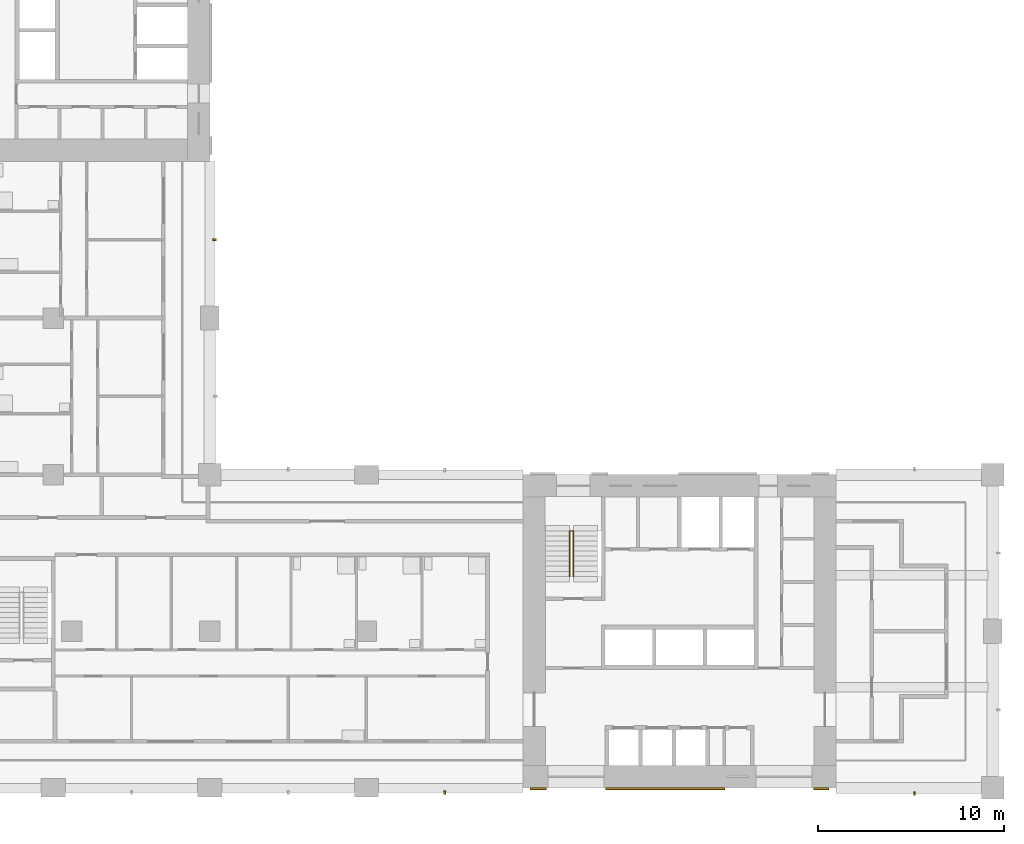
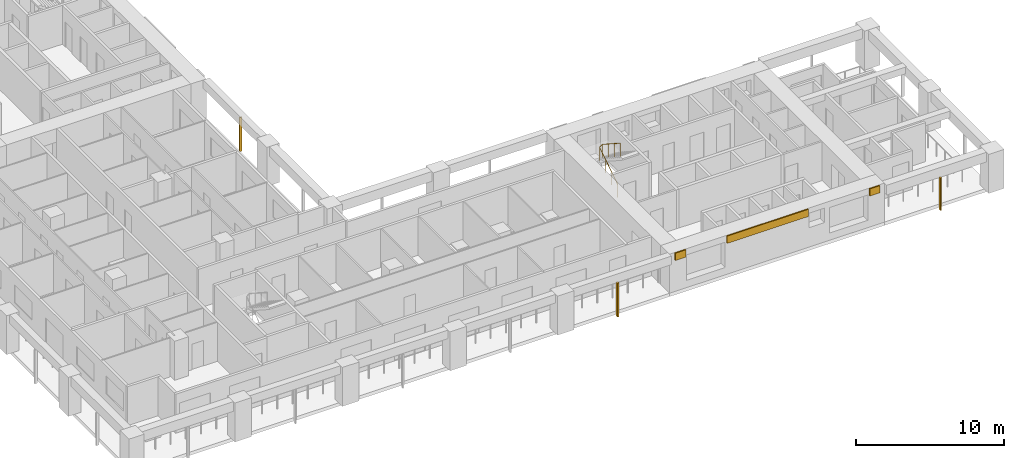
# One storey, part 12 of 17: 6 shading devices, 1 railing.
"""IFC4 building model written with IfcOpenShell, lengths in metres."""

from ifc_helpers import new_model, si_unit, direction, frame, origin, origin_2d, place, context, subcontext, project, spatial, rectangle, circle, extrude, material, layer, layer_set, material_profile, profile_set, type_object, element, save


model = new_model("IFC4")

# Units and contexts
model_context = context("Model", 3, precision=1e-05, world=origin(), true_north=direction((0.0, 1.0)))
body_context = subcontext(model_context, "Body", "Model", "MODEL_VIEW")
ifc_project = project(units=[si_unit("LENGTHUNIT", "METRE"), si_unit("AREAUNIT", "SQUARE_METRE"), si_unit("VOLUMEUNIT", "CUBIC_METRE"), si_unit("PLANEANGLEUNIT", "RADIAN"), si_unit("MASSUNIT", "GRAM", prefix="KILO")], contexts=[model_context])

# Site, building, storey
site_placement = place(None, origin())
site = spatial("IfcSite", under=ifc_project, at=site_placement, CompositionType="ELEMENT")
building_placement = place(site_placement, origin())
building = spatial("IfcBuilding", under=site, at=building_placement, Name="Vermilion Gate Residences", CompositionType="ELEMENT")
storey_placement = place(building_placement, frame((0.0, 0.0, 91.699951171875)))
storey = spatial("IfcBuildingStorey", under=building, at=storey_placement, Name="L22", CompositionType="ELEMENT", Elevation=91.699951171875)

# Railing
ifc_material_1 = material(Name="Steel S355", Category="steel")
railing_type = type_object("IfcRailingType", Name="STAIR GUARD 1100 STEEL", PredefinedType="GUARDRAIL", material=ifc_material_1)
railing_placement = place(storey_placement, frame((44.5, 19.75, 0.175048828125)))
element("IfcRailing", 1, at=railing_placement, inside=storey, type_object=railing_type, Name="Stair well guard STA1-22", PredefinedType="GUARDRAIL", context=body_context, shape_type="SweptSolid", body=[
    extrude(circle(Radius=0.02392578125, at=origin_2d()), frame((0.0, 0.0, 1.076171875), z_axis=(0.0, 0.839153699163, 0.543894354798), x_axis=(-1.0, 0.0, 0.0)), (0.0, 0.0, 1.0), 2.895751953125),
    extrude(circle(Radius=0.02392578125, at=origin_2d()), frame((0.0, 2.429931640625, 2.65087890625), z_axis=(0.752405939678, 0.0, 0.658699705433), x_axis=(0.0, 1.0, 0.0)), (0.0, 0.0, 1.0), 0.265869140625),
    extrude(circle(Radius=0.02392578125, at=origin_2d()), frame((0.199951171875, 2.429931640625, 2.826171875), z_axis=(0.0, -0.839153699163, 0.543894354798), x_axis=(1.0, 0.0, 0.0)), (0.0, 0.0, 1.0), 2.895751953125),
    extrude(circle(Radius=0.02099609375, at=origin_2d()), origin(), (0.0, 0.0, 1.0), 1.052001953125),
    extrude(circle(Radius=0.02099609375, at=origin_2d()), frame((0.0, 0.81005859375, 0.52490234375)), (0.0, 0.0, 1.0), 1.052001953125),
    extrude(circle(Radius=0.02099609375, at=origin_2d()), frame((0.0, 1.619873046875, 1.050048828125)), (0.0, 0.0, 1.0), 1.052001953125),
    extrude(circle(Radius=0.02099609375, at=origin_2d()), frame((0.0, 2.429931640625, 1.574951171875)), (0.0, 0.0, 1.0), 1.052001953125),
    extrude(circle(Radius=0.02099609375, at=origin_2d()), frame((0.199951171875, 2.429931640625, 1.75)), (0.0, 0.0, 1.0), 1.052001953125),
    extrude(circle(Radius=0.02099609375, at=origin_2d()), frame((0.199951171875, 1.619873046875, 2.27490234375)), (0.0, 0.0, 1.0), 1.052001953125),
    extrude(circle(Radius=0.02099609375, at=origin_2d()), frame((0.199951171875, 0.81005859375, 2.800048828125)), (0.0, 0.0, 1.0), 1.052001953125),
    extrude(circle(Radius=0.02099609375, at=origin_2d()), frame((0.199951171875, 0.0, 3.324951171875)), (0.0, 0.0, 1.0), 1.052001953125),
])

# Shading devices
ifc_material_2 = material(Name="Extruded terracotta", Category="masonry")
ifc_material_profile = material_profile(ifc_material_2, rectangle(XDim=0.199951171875, YDim=0.10009765625, at=origin_2d()), Name="BAGUETTE 100 X 200")
ifc_profile_set = profile_set([ifc_material_profile], Name="Extruded terracotta")
shading_device_type_1 = type_object("IfcShadingDeviceType", Name="TERRACOTTA BAGUETTE 100 X 200", PredefinedType="JALOUSIE", material=ifc_profile_set)
shading_device_1_placement = place(storey_placement, frame((37.800048828125, 8.14990234375, -0.280029296875), z_axis=(0.0, 0.0, 1.0), x_axis=(0.0, 1.0, 0.0)))
element("IfcShadingDevice", 2, at=shading_device_1_placement, inside=storey, type_object=shading_device_type_1, Name="BAGUETTE", PredefinedType="JALOUSIE", context=body_context, shape_type="SweptSolid", body=[
    extrude(rectangle(XDim=0.199951171875, YDim=0.10009765625, at=origin_2d()), origin(), (0.0, 0.0, 1.0), 2.800048828125),
])
shading_device_2_placement = place(storey_placement, frame((63.0, 8.10009765625, -0.280029296875), z_axis=(0.0, 0.0, 1.0), x_axis=(0.0, 1.0, 0.0)))
element("IfcShadingDevice", 3, at=shading_device_2_placement, inside=storey, type_object=shading_device_type_1, Name="BAGUETTE", PredefinedType="JALOUSIE", context=body_context, shape_type="SweptSolid", body=[
    extrude(rectangle(XDim=0.199951171875, YDim=0.10009765625, at=origin_2d()), origin(), (0.0, 0.0, 1.0), 2.7001953125),
])
shading_device_3_placement = place(storey_placement, frame((25.449951171875, 37.800048828125, -0.280029296875), z_axis=(0.0, 0.0, 1.0), x_axis=(-1.0, 0.0, 0.0)))
element("IfcShadingDevice", 4, at=shading_device_3_placement, inside=storey, type_object=shading_device_type_1, Name="BAGUETTE", PredefinedType="JALOUSIE", context=body_context, shape_type="SweptSolid", body=[
    extrude(rectangle(XDim=0.199951171875, YDim=0.10009765625, at=origin_2d()), origin(), (0.0, 0.0, 1.0), 2.800048828125),
])
ifc_material_3 = material(Name="Extruded terracotta", Category="masonry")
ifc_layer = layer(ifc_material_3, 0.10009765625)
ifc_layer_set = layer_set([ifc_layer], Name="TERRACOTTA SPANDREL BAND 600 X 100")
shading_device_type_2 = type_object("IfcShadingDeviceType", Name="TERRACOTTA SPANDREL BAND 600 X 100", PredefinedType="USERDEFINED", material=ifc_layer_set)
shading_device_4_placement = place(storey_placement, frame((42.824951171875, 8.35009765625, 2.6201171875), z_axis=(0.0, 0.0, 1.0), x_axis=(1.0, 0.0, 0.0)))
element("IfcShadingDevice", 5, at=shading_device_4_placement, inside=storey, type_object=shading_device_type_2, Name="SPANDREL BAND", ObjectType="BAND", PredefinedType="USERDEFINED", context=body_context, shape_type="SweptSolid", body=[
    extrude(rectangle(XDim=0.85009765625, YDim=0.10009765625, at=origin_2d()), origin(), (0.0, 0.0, 1.0), 0.60009765625),
])
shading_device_5_placement = place(storey_placement, frame((49.6337890625, 8.35009765625, 2.6201171875), z_axis=(0.0, 0.0, 1.0), x_axis=(1.0, 0.0, 0.0)))
element("IfcShadingDevice", 6, at=shading_device_5_placement, inside=storey, type_object=shading_device_type_2, Name="SPANDREL BAND", ObjectType="BAND", PredefinedType="USERDEFINED", context=body_context, shape_type="SweptSolid", body=[
    extrude(rectangle(XDim=6.367431640625, YDim=0.10009765625, at=origin_2d()), origin(), (0.0, 0.0, 1.0), 0.60009765625),
])
shading_device_6_placement = place(storey_placement, frame((58.0, 8.35009765625, 2.6201171875), z_axis=(0.0, 0.0, 1.0), x_axis=(1.0, 0.0, 0.0)))
element("IfcShadingDevice", 7, at=shading_device_6_placement, inside=storey, type_object=shading_device_type_2, Name="SPANDREL BAND", ObjectType="BAND", PredefinedType="USERDEFINED", context=body_context, shape_type="SweptSolid", body=[
    extrude(rectangle(XDim=0.800048828125, YDim=0.10009765625, at=origin_2d()), origin(), (0.0, 0.0, 1.0), 0.60009765625),
])

save(model, "model.ifc")
